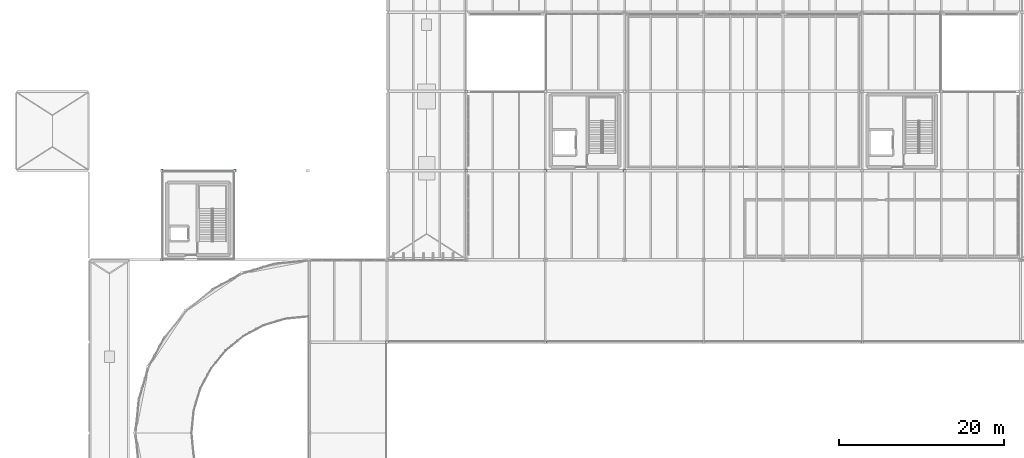
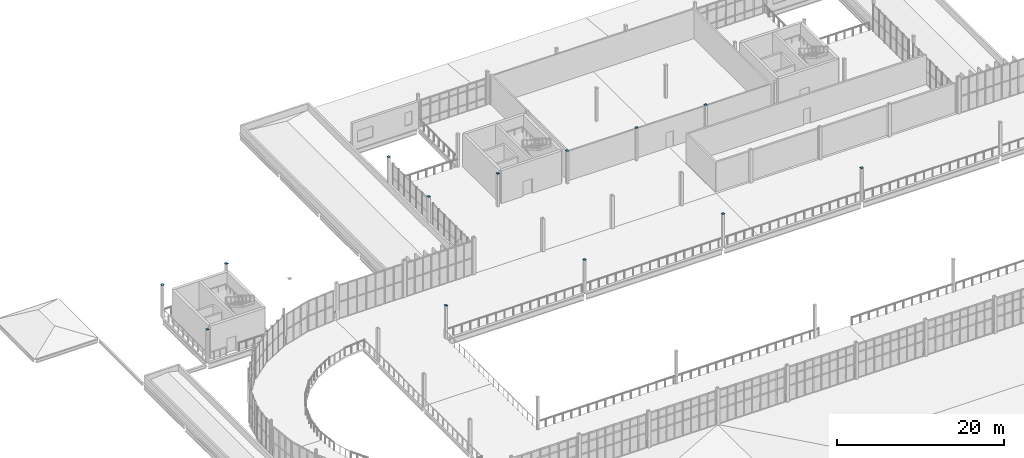
# One storey, part 88 of 112: 13 plates.
"""IFC4 building model written with IfcOpenShell, lengths in metres."""

from ifc_helpers import new_model, si_unit, direction, frame, origin, origin_2d, place, context, subcontext, project, spatial, rectangle, extrude, material, layer, layer_set, type_object, element, save


model = new_model("IFC4")

# Units and contexts
model_context = context("Model", 3, precision=1e-05, world=origin(), true_north=direction((0.0, 1.0)))
body_context = subcontext(model_context, "Body", "Model", "MODEL_VIEW")
ifc_project = project(units=[si_unit("LENGTHUNIT", "METRE"), si_unit("AREAUNIT", "SQUARE_METRE"), si_unit("VOLUMEUNIT", "CUBIC_METRE"), si_unit("PLANEANGLEUNIT", "RADIAN"), si_unit("MASSUNIT", "GRAM", prefix="KILO")], contexts=[model_context])

# Site, building, storey
site_placement = place(None, origin())
site = spatial("IfcSite", under=ifc_project, at=site_placement, CompositionType="ELEMENT")
building_placement = place(site_placement, origin())
building = spatial("IfcBuilding", under=site, at=building_placement, Name="Yeouljin Market Hall", CompositionType="ELEMENT")
storey_placement = place(building_placement, frame((0.0, 0.0, 6.0)))
storey = spatial("IfcBuildingStorey", under=building, at=storey_placement, Name="L01", CompositionType="ELEMENT", Elevation=6.0)

# Plates
ifc_material = material(Name="Steel SM355", Category="steel")
ifc_layer = layer(ifc_material, 0.02001953125)
ifc_layer_set = layer_set([ifc_layer], Name="Steel SM355")
plate_type = type_object("IfcPlateType", Name="CapPlate_320x320x20", PredefinedType="SHEET", material=ifc_layer_set)
for number, where, z_axis, x_axis, name in (
    (1, (17.699951171875, 78.0, 4.800048828125), (0.0, 0.0, 1.0), (1.0, 0.0, 0.0), "Hollow column top cap plate G-02-08 (L01)"),
    (2, (17.699951171875, 88.800048828125, 4.800048828125), (0.0, 0.0, 1.0), (1.0, 0.0, 0.0), "Hollow column top cap plate G-02-09 (L01)"),
    (3, (26.550048828125, 88.800048828125, 4.800048828125), (0.0, 0.0, 1.0), (1.0, 0.0, 0.0), "Hollow column top cap plate G-03-09 (L01)"),
    (4, (45.0, 68.0, 4.800048828125), (0.0, 0.0, 1.0), (1.0, 0.0, 0.0), "Hollow column top cap plate G-06-07 (L01)"),
    (5, (54.60009765625, 88.800048828125, 4.800048828125), (0.0, 0.0, 1.0), (1.0, 0.0, 0.0), "Hollow column top cap plate G-07-09 (L01)"),
    (6, (54.60009765625, 98.39990234375, 4.800048828125), (0.0, 0.0, 1.0), (1.0, 0.0, 0.0), "Hollow column top cap plate G-07-10 (L01)"),
    (7, (64.199951171875, 68.0, 4.800048828125), (0.0, 0.0, 1.0), (1.0, 0.0, 0.0), "Hollow column top cap plate G-08-07 (L01)"),
    (8, (64.199951171875, 88.800048828125, 4.800048828125), (0.0, 0.0, 1.0), (1.0, 0.0, 0.0), "Hollow column top cap plate G-08-09 (L01)"),
    (9, (73.800048828125, 88.800048828125, 4.800048828125), (0.0, 0.0, 1.0), (1.0, 0.0, 0.0), "Hollow column top cap plate G-09-09 (L01)"),
    (10, (83.39990234375, 68.0, 4.800048828125), (0.0, 0.0, 1.0), (1.0, 0.0, 0.0), "Hollow column top cap plate G-10-07 (L01)"),
    (11, (83.39990234375, 88.800048828125, 4.800048828125), (0.0, 0.0, 1.0), (1.0, 0.0, 0.0), "Hollow column top cap plate G-10-09 (L01)"),
    (12, (93.0, 88.800048828125, 4.800048828125), (0.0, 0.0, 1.0), (1.0, 0.0, 0.0), "Hollow column top cap plate G-11-09 (L01)"),
    (13, (102.60009765625, 68.0, 4.800048828125), (0.0, 0.0, 1.0), (1.0, 0.0, 0.0), "Hollow column top cap plate G-12-07 (L01)"),
):
    element("IfcPlate", number, at=place(storey_placement, frame(where, z_axis=z_axis, x_axis=x_axis)), inside=storey, type_object=plate_type, Name=name, PredefinedType="SHEET", context=body_context, shape_type="SweptSolid", body=[
        extrude(rectangle(XDim=0.320068359375, YDim=0.320068359375, at=origin_2d()), origin(), (0.0, 0.0, 1.0), 0.02001953125),
    ])

save(model, "model.ifc")
